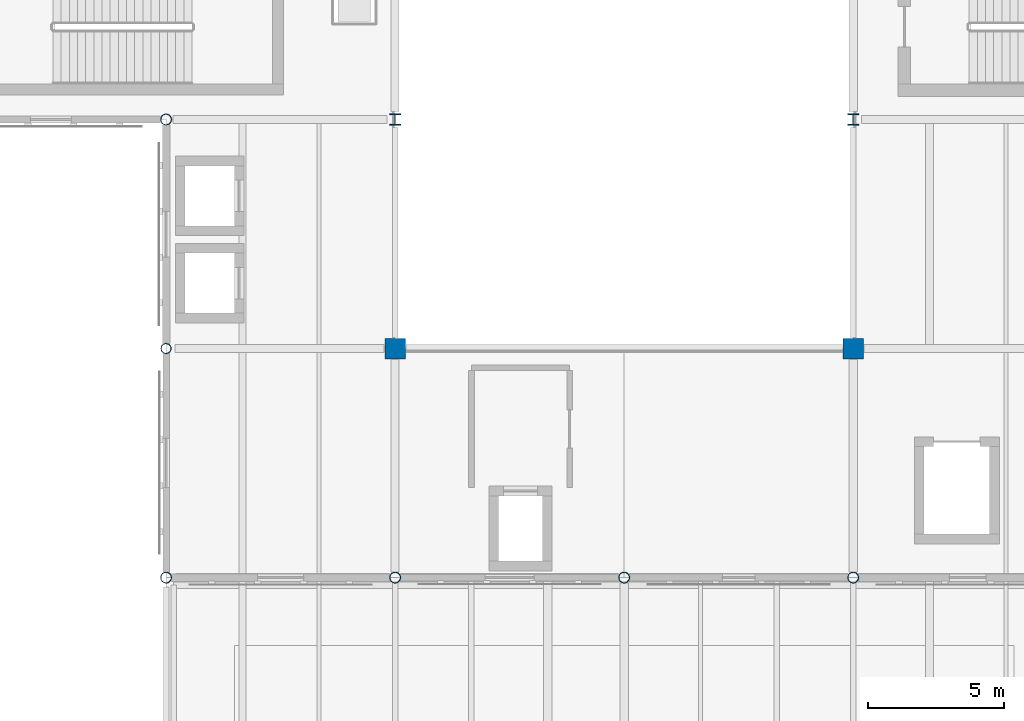
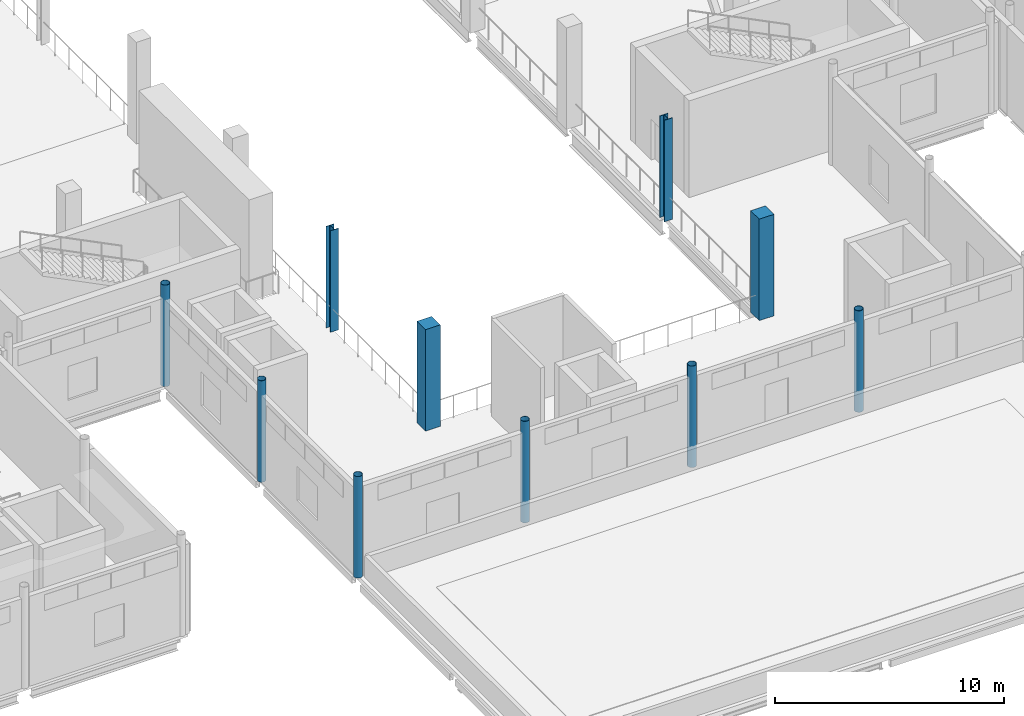
# One storey, part 4 of 110: 10 columns.
"""IFC4 building model written with IfcOpenShell, lengths in metres."""

from ifc_helpers import new_model, si_unit, direction, frame, origin, origin_2d, place, context, subcontext, project, spatial, rectangle, hollow_circle, i_section, extrude, material, material_profile, profile_set, type_object, element, save


model = new_model("IFC4")

# Units and contexts
model_context = context("Model", 3, precision=1e-05, world=origin(), true_north=direction((0.0, 1.0)))
body_context = subcontext(model_context, "Body", "Model", "MODEL_VIEW")
ifc_project = project(units=[si_unit("LENGTHUNIT", "METRE"), si_unit("AREAUNIT", "SQUARE_METRE"), si_unit("VOLUMEUNIT", "CUBIC_METRE"), si_unit("PLANEANGLEUNIT", "RADIAN"), si_unit("MASSUNIT", "GRAM", prefix="KILO"), si_unit("THERMODYNAMICTEMPERATUREUNIT", "KELVIN")], contexts=[model_context])

# Site, building, storey
site_placement = place(None, origin())
site = spatial("IfcSite", under=ifc_project, at=site_placement, CompositionType="ELEMENT")
building_placement = place(site_placement, origin())
building = spatial("IfcBuilding", under=site, at=building_placement, Name="Lustrewick Department Store", CompositionType="ELEMENT")
storey_placement = place(building_placement, frame((0.0, 0.0, 6.0)))
storey = spatial("IfcBuildingStorey", under=building, at=storey_placement, Name="L02", CompositionType="ELEMENT", Elevation=6.0)

# Columns
ifc_material_1 = material(Name="Structural steel Q355C", Category="steel")
ifc_material_profile_1 = material_profile(ifc_material_1, i_section(OverallWidth=0.405029296875, OverallDepth=0.4140625, WebThickness=0.01806640625, FlangeThickness=0.028076171875, FilletRadius=0.02197265625, at=origin_2d()), Name="HW 414x405x18x28")
ifc_profile_set_1 = profile_set([ifc_material_profile_1], Name="Structural steel Q355C")
column_type_1 = type_object("IfcColumnType", Name="C10", PredefinedType="COLUMN", material=ifc_profile_set_1)
for number, where, z_axis, x_axis, name in (
    (1, (75.60009765625, 58.800048828125, 0.0), (0.0, 0.0, 1.0), (1.0, 0.0, 0.0), "L02 V2 Column C10"),
    (2, (92.39990234375, 58.800048828125, 0.0), (0.0, 0.0, 1.0), (1.0, 0.0, 0.0), "L02 V2 Column C10"),
):
    element("IfcColumn", number, at=place(storey_placement, frame(where, z_axis=z_axis, x_axis=x_axis)), inside=storey, type_object=column_type_1, Name=name, PredefinedType="COLUMN", context=body_context, shape_type="SweptSolid", body=[
        extrude(i_section(OverallWidth=0.405029296875, OverallDepth=0.4140625, WebThickness=0.01806640625, FlangeThickness=0.028076171875, FilletRadius=0.02197265625, at=origin_2d()), origin(), (0.0, 0.0, 1.0), 5.39990234375),
    ])
ifc_material_2 = material(Name="Concrete C40", Category="concrete")
ifc_material_profile_2 = material_profile(ifc_material_2, rectangle(XDim=0.75, YDim=0.75, at=origin_2d()), Name="RC 750x750")
ifc_profile_set_2 = profile_set([ifc_material_profile_2], Name="Concrete C40")
column_type_2 = type_object("IfcColumnType", Name="C20", PredefinedType="COLUMN", material=ifc_profile_set_2)
for number, where, z_axis, x_axis, name in (
    (3, (75.60009765625, 50.39990234375, 0.0), (0.0, 0.0, 1.0), (1.0, 0.0, 0.0), "L02 V2 Column C20"),
    (4, (92.39990234375, 50.39990234375, 0.0), (0.0, 0.0, 1.0), (1.0, 0.0, 0.0), "L02 V2 Column C20"),
):
    element("IfcColumn", number, at=place(storey_placement, frame(where, z_axis=z_axis, x_axis=x_axis)), inside=storey, type_object=column_type_2, Name=name, PredefinedType="COLUMN", context=body_context, shape_type="SweptSolid", body=[
        extrude(rectangle(XDim=0.75, YDim=0.75, at=origin_2d()), origin(), (0.0, 0.0, 1.0), 5.39990234375),
    ])
ifc_material_profile_3 = material_profile(ifc_material_1, hollow_circle(Radius=0.202880859375, WallThickness=0.01611328125, at=origin_2d()), Name="CHS 406x16")
ifc_profile_set_3 = profile_set([ifc_material_profile_3], Name="Structural steel Q355C")
column_type_3 = type_object("IfcColumnType", Name="CE03", PredefinedType="COLUMN", material=ifc_profile_set_3)
for number, where, z_axis, x_axis, name in (
    (5, (67.199951171875, 42.0, 0.0), (0.0, 0.0, 1.0), (1.0, 0.0, 0.0), "L02 V2 Column CE03"),
    (6, (67.199951171875, 58.800048828125, 0.0), (0.0, 0.0, 1.0), (1.0, 0.0, 0.0), "L02 V2 Column CE03"),
    (7, (75.60009765625, 42.0, 0.0), (0.0, 0.0, 1.0), (1.0, 0.0, 0.0), "L02 V2 Column CE03"),
    (8, (84.0, 42.0, 0.0), (0.0, 0.0, 1.0), (1.0, 0.0, 0.0), "L02 V2 Column CE03"),
    (9, (92.39990234375, 42.0, 0.0), (0.0, 0.0, 1.0), (1.0, 0.0, 0.0), "L02 V2 Column CE03"),
):
    element("IfcColumn", number, at=place(storey_placement, frame(where, z_axis=z_axis, x_axis=x_axis)), inside=storey, type_object=column_type_3, Name=name, PredefinedType="COLUMN", context=body_context, shape_type="SweptSolid", body=[
        extrude(hollow_circle(Radius=0.202880859375, WallThickness=0.01611328125, at=origin_2d()), origin(), (0.0, 0.0, 1.0), 5.39990234375),
    ])
ifc_material_3 = material(Name="Structural steel Q355B", Category="steel")
ifc_material_profile_4 = material_profile(ifc_material_3, hollow_circle(Radius=0.1884765625, WallThickness=0.013916015625, at=origin_2d()), Name="CHS 377x14")
ifc_profile_set_4 = profile_set([ifc_material_profile_4], Name="Structural steel Q355B")
column_type_4 = type_object("IfcColumnType", Name="CE04", PredefinedType="COLUMN", material=ifc_profile_set_4)
column_placement = place(storey_placement, frame((67.199951171875, 50.39990234375, 0.0), z_axis=(0.0, 0.0, 1.0), x_axis=(1.0, 0.0, 0.0)))
element("IfcColumn", 10, at=column_placement, inside=storey, type_object=column_type_4, Name="L02 V2 Column CE04", PredefinedType="COLUMN", context=body_context, shape_type="SweptSolid", body=[
    extrude(hollow_circle(Radius=0.1884765625, WallThickness=0.013916015625, at=origin_2d()), origin(), (0.0, 0.0, 1.0), 5.39990234375),
])

save(model, "model.ifc")
